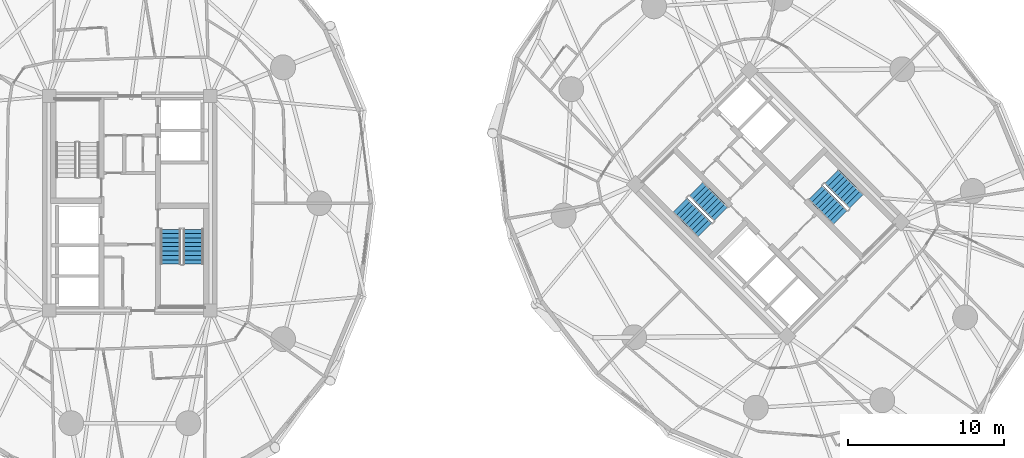
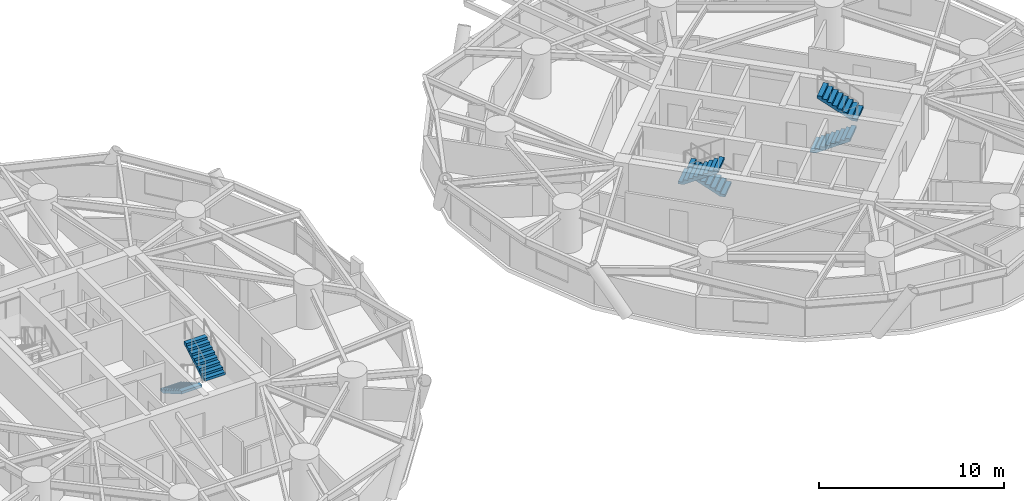
# One storey, part 16 of 18: 6 stair flights, 3 elements without a shape of their own.
"""IFC4 building model written with IfcOpenShell, lengths in metres."""

from ifc_helpers import new_model, si_unit, direction, frame, origin, place, context, subcontext, project, spatial, polyline, outline, extrude, material, type_object, element, aggregate, save


model = new_model("IFC4")

# Units and contexts
model_context = context("Model", 3, precision=1e-05, world=origin(), true_north=direction((0.0, 1.0)))
body_context = subcontext(model_context, "Body", "Model", "MODEL_VIEW")
ifc_project = project(units=[si_unit("LENGTHUNIT", "METRE"), si_unit("AREAUNIT", "SQUARE_METRE"), si_unit("VOLUMEUNIT", "CUBIC_METRE"), si_unit("PLANEANGLEUNIT", "RADIAN"), si_unit("MASSUNIT", "GRAM", prefix="KILO")], contexts=[model_context])

# Site, building, storey
site_placement = place(None, origin())
site = spatial("IfcSite", under=ifc_project, at=site_placement, CompositionType="ELEMENT")
building_placement = place(site_placement, origin())
building = spatial("IfcBuilding", under=site, at=building_placement, Name="Cununo Teusaquillo Station Towers", CompositionType="ELEMENT")
storey_placement = place(building_placement, frame((0.0, 0.0, 45.280029296875)))
storey = spatial("IfcBuildingStorey", under=building, at=storey_placement, Name="L13", CompositionType="ELEMENT", Elevation=45.280029296875)

# Stair, stair flights
ifc_material_1 = material(Name="Concrete C50/60", Category="concrete")
stair_type = type_object("IfcStairType", Name="ST-TWR-1300", PredefinedType="HALF_TURN_STAIR", material=ifc_material_1)
stair_1_placement = place(storey_placement, origin())
stair_1 = element("IfcStair", 1, at=stair_1_placement, inside=storey, type_object=stair_type, Name="L13 Tower A Protected Core Exit Stair 2", PredefinedType="HALF_TURN_STAIR")
ifc_material_2 = material(Name="Concrete C50/60", Category="concrete")
stair_flight_type = type_object("IfcStairFlightType", Name="SFL-TWR-1300", PredefinedType="STRAIGHT", material=ifc_material_2)
stair_flight_1_placement = place(storey_placement, frame((19.1298828125, 22.830078125, 0.0), z_axis=(0.0, 0.0, 1.0), x_axis=(0.0, -1.0, 0.0)))
stair_flight_1 = element("IfcStairFlight", 2, at=stair_flight_1_placement, type_object=stair_flight_type, Name="ST-T1-2 flight 1", NumberOfRisers=9, NumberOfTreads=8, PredefinedType="STRAIGHT", RiserHeight=0.161666667, TreadLength=0.28, context=body_context, shape_type="SweptSolid", body=[
    extrude(outline(polyline([(0.0, 0.0), (0.0, 0.16162109375), (0.280029296875, 0.16162109375), (0.280029296875, 0.3232421875), (0.56005859375, 0.3232421875), (0.56005859375, 0.485107421875), (0.840087890625, 0.485107421875), (0.840087890625, 0.646728515625), (1.1201171875, 0.646728515625), (1.1201171875, 0.808349609375), (1.39990234375, 0.808349609375), (1.39990234375, 0.969970703125), (1.679931640625, 0.969970703125), (1.679931640625, 1.131591796875), (1.9599609375, 1.131591796875), (1.9599609375, 1.293212890625), (2.239990234375, 1.293212890625), (2.239990234375, 1.455078125), (2.239990234375, 1.1201171875), (0.2998046875, 0.0), (0.0, 0.0)])), frame((0.0, 0.64990234375, 0.0), z_axis=(0.0, -1.0, 0.0), x_axis=(1.0, 0.0, 0.0)), (0.0, 0.0, 1.0), 1.300048828125),
])
stair_flight_2_placement = place(storey_placement, frame((20.590087890625, 20.590087890625, 1.455078125), z_axis=(0.0, 0.0, 1.0), x_axis=(0.0, 1.0, 0.0)))
stair_flight_2 = element("IfcStairFlight", 3, at=stair_flight_2_placement, type_object=stair_flight_type, Name="ST-T1-2 flight 2", NumberOfRisers=9, NumberOfTreads=8, PredefinedType="STRAIGHT", RiserHeight=0.161666667, TreadLength=0.28, context=body_context, shape_type="SweptSolid", body=[
    extrude(outline(polyline([(0.0, 0.0), (0.0, 0.16162109375), (0.280029296875, 0.16162109375), (0.280029296875, 0.3232421875), (0.56005859375, 0.3232421875), (0.56005859375, 0.485107421875), (0.840087890625, 0.485107421875), (0.840087890625, 0.646728515625), (1.1201171875, 0.646728515625), (1.1201171875, 0.808349609375), (1.39990234375, 0.808349609375), (1.39990234375, 0.969970703125), (1.679931640625, 0.969970703125), (1.679931640625, 1.131591796875), (1.9599609375, 1.131591796875), (1.9599609375, 1.293212890625), (2.239990234375, 1.293212890625), (2.239990234375, 1.455078125), (2.239990234375, 1.1201171875), (0.2998046875, 0.0), (0.0, 0.0)])), frame((0.0, 0.64990234375, 0.0), z_axis=(0.0, -1.0, 0.0), x_axis=(1.0, 0.0, 0.0)), (0.0, 0.0, 1.0), 1.300048828125),
])
aggregate(stair_1, [stair_flight_1, stair_flight_2])

stair_2_placement = place(storey_placement, origin())
stair_2 = element("IfcStair", 4, at=stair_2_placement, inside=storey, type_object=stair_type, Name="L13 Tower B Protected Core Exit Stair 1", PredefinedType="HALF_TURN_STAIR")
stair_flight_3_placement = place(storey_placement, frame((54.45947265625, 23.8212890625, 0.0), z_axis=(0.0, 0.0, 1.0), x_axis=(-0.707106781187, 0.707106781187, 0.0)))
stair_flight_3 = element("IfcStairFlight", 5, at=stair_flight_3_placement, type_object=stair_flight_type, Name="ST-T2-1 flight 1", NumberOfRisers=9, NumberOfTreads=8, PredefinedType="STRAIGHT", RiserHeight=0.161666667, TreadLength=0.28, context=body_context, shape_type="SweptSolid", body=[
    extrude(outline(polyline([(0.0, 0.0), (0.0, 0.16162109375), (0.280029296875, 0.16162109375), (0.280029296875, 0.3232421875), (0.56005859375, 0.3232421875), (0.56005859375, 0.485107421875), (0.840087890625, 0.485107421875), (0.840087890625, 0.646728515625), (1.1201171875, 0.646728515625), (1.1201171875, 0.808349609375), (1.39990234375, 0.808349609375), (1.39990234375, 0.969970703125), (1.679931640625, 0.969970703125), (1.679931640625, 1.131591796875), (1.9599609375, 1.131591796875), (1.9599609375, 1.293212890625), (2.239990234375, 1.293212890625), (2.239990234375, 1.455078125), (2.239990234375, 1.1201171875), (0.2998046875, 0.0), (0.0, 0.0)])), frame((0.0, 0.64990234375, 0.0), z_axis=(0.0, -1.0, 0.0), x_axis=(1.0, 0.0, 0.0)), (0.0, 0.0, 1.0), 1.300048828125),
])
stair_flight_4_placement = place(storey_placement, frame((51.84326171875, 24.372802734375, 1.455078125), z_axis=(0.0, 0.0, 1.0), x_axis=(0.707106781187, -0.707106781187, 0.0)))
stair_flight_4 = element("IfcStairFlight", 6, at=stair_flight_4_placement, type_object=stair_flight_type, Name="ST-T2-1 flight 2", NumberOfRisers=9, NumberOfTreads=8, PredefinedType="STRAIGHT", RiserHeight=0.161666667, TreadLength=0.28, context=body_context, shape_type="SweptSolid", body=[
    extrude(outline(polyline([(0.0, 0.0), (0.0, 0.16162109375), (0.280029296875, 0.16162109375), (0.280029296875, 0.3232421875), (0.56005859375, 0.3232421875), (0.56005859375, 0.485107421875), (0.840087890625, 0.485107421875), (0.840087890625, 0.646728515625), (1.1201171875, 0.646728515625), (1.1201171875, 0.808349609375), (1.39990234375, 0.808349609375), (1.39990234375, 0.969970703125), (1.679931640625, 0.969970703125), (1.679931640625, 1.131591796875), (1.9599609375, 1.131591796875), (1.9599609375, 1.293212890625), (2.239990234375, 1.293212890625), (2.239990234375, 1.455078125), (2.239990234375, 1.1201171875), (0.2998046875, 0.0), (0.0, 0.0)])), frame((0.0, 0.64990234375, 0.0), z_axis=(0.0, -1.0, 0.0), x_axis=(1.0, 0.0, 0.0)), (0.0, 0.0, 1.0), 1.300048828125),
])
aggregate(stair_2, [stair_flight_3, stair_flight_4])

stair_3_placement = place(storey_placement, origin())
stair_3 = element("IfcStair", 7, at=stair_3_placement, inside=storey, type_object=stair_type, Name="L13 Tower B Protected Core Exit Stair 2", PredefinedType="HALF_TURN_STAIR")
stair_flight_5_placement = place(storey_placement, frame((60.54052734375, 25.1787109375, 0.0), z_axis=(0.0, 0.0, 1.0), x_axis=(0.707106781187, -0.707106781187, 0.0)))
stair_flight_5 = element("IfcStairFlight", 8, at=stair_flight_5_placement, type_object=stair_flight_type, Name="ST-T2-2 flight 1", NumberOfRisers=9, NumberOfTreads=8, PredefinedType="STRAIGHT", RiserHeight=0.161666667, TreadLength=0.28, context=body_context, shape_type="SweptSolid", body=[
    extrude(outline(polyline([(0.0, 0.0), (0.0, 0.16162109375), (0.280029296875, 0.16162109375), (0.280029296875, 0.3232421875), (0.56005859375, 0.3232421875), (0.56005859375, 0.485107421875), (0.840087890625, 0.485107421875), (0.840087890625, 0.646728515625), (1.1201171875, 0.646728515625), (1.1201171875, 0.808349609375), (1.39990234375, 0.808349609375), (1.39990234375, 0.969970703125), (1.679931640625, 0.969970703125), (1.679931640625, 1.131591796875), (1.9599609375, 1.131591796875), (1.9599609375, 1.293212890625), (2.239990234375, 1.293212890625), (2.239990234375, 1.455078125), (2.239990234375, 1.1201171875), (0.2998046875, 0.0), (0.0, 0.0)])), frame((0.0, 0.64990234375, 0.0), z_axis=(0.0, -1.0, 0.0), x_axis=(1.0, 0.0, 0.0)), (0.0, 0.0, 1.0), 1.300048828125),
])
stair_flight_6_placement = place(storey_placement, frame((63.15673828125, 24.627197265625, 1.455078125), z_axis=(0.0, 0.0, 1.0), x_axis=(-0.707106781187, 0.707106781187, 0.0)))
stair_flight_6 = element("IfcStairFlight", 9, at=stair_flight_6_placement, type_object=stair_flight_type, Name="ST-T2-2 flight 2", NumberOfRisers=9, NumberOfTreads=8, PredefinedType="STRAIGHT", RiserHeight=0.161666667, TreadLength=0.28, context=body_context, shape_type="SweptSolid", body=[
    extrude(outline(polyline([(0.0, 0.0), (0.0, 0.16162109375), (0.280029296875, 0.16162109375), (0.280029296875, 0.3232421875), (0.56005859375, 0.3232421875), (0.56005859375, 0.485107421875), (0.840087890625, 0.485107421875), (0.840087890625, 0.646728515625), (1.1201171875, 0.646728515625), (1.1201171875, 0.808349609375), (1.39990234375, 0.808349609375), (1.39990234375, 0.969970703125), (1.679931640625, 0.969970703125), (1.679931640625, 1.131591796875), (1.9599609375, 1.131591796875), (1.9599609375, 1.293212890625), (2.239990234375, 1.293212890625), (2.239990234375, 1.455078125), (2.239990234375, 1.1201171875), (0.2998046875, 0.0), (0.0, 0.0)])), frame((0.0, 0.64990234375, 0.0), z_axis=(0.0, -1.0, 0.0), x_axis=(1.0, 0.0, 0.0)), (0.0, 0.0, 1.0), 1.300048828125),
])
aggregate(stair_3, [stair_flight_5, stair_flight_6])

save(model, "model.ifc")
